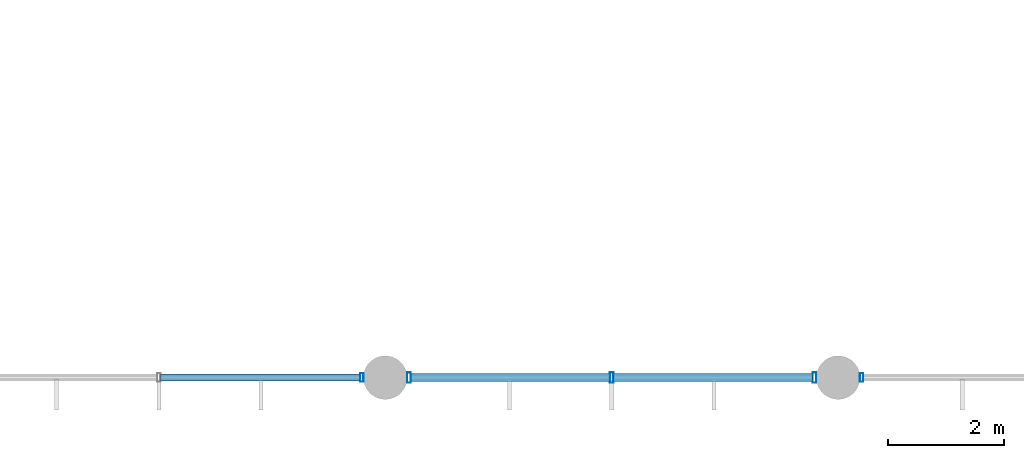
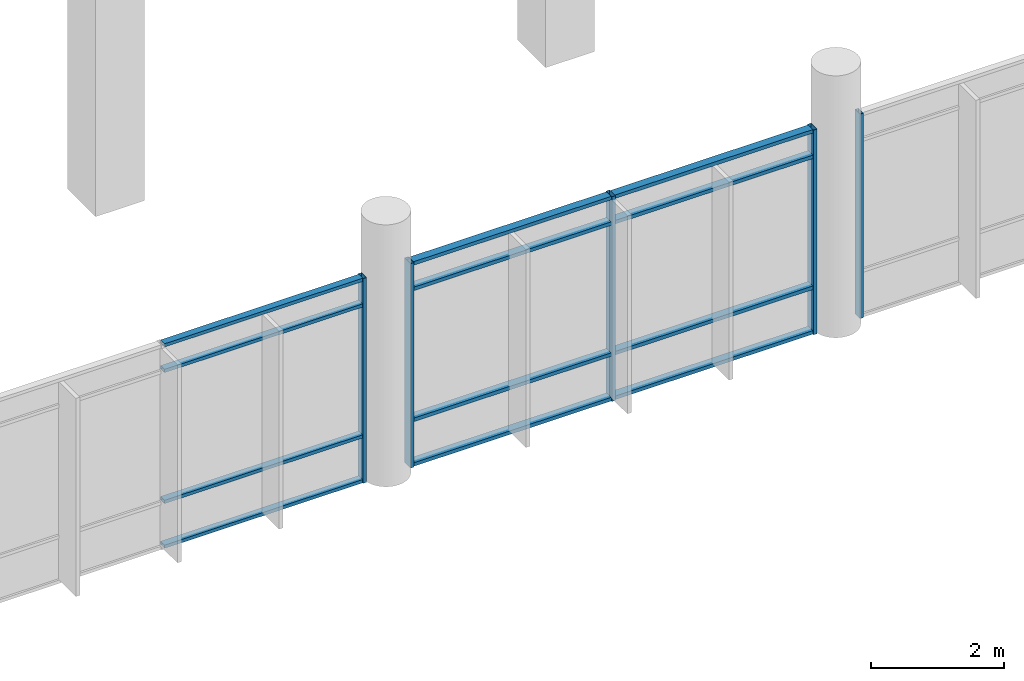
# One storey, part 12 of 79: 17 members, 3 elements without a shape of their own.
"""IFC4 building model written with IfcOpenShell, lengths in metres."""

from ifc_helpers import new_model, si_unit, direction, frame, origin, origin_2d, place, context, subcontext, project, spatial, hollow_rectangle, extrude, material, material_profile, profile_set, type_object, element, aggregate, save


model = new_model("IFC4")

# Units and contexts
model_context = context("Model", 3, precision=1e-05, world=origin(), true_north=direction((0.0, 1.0)))
body_context = subcontext(model_context, "Body", "Model", "MODEL_VIEW")
ifc_project = project(units=[si_unit("LENGTHUNIT", "METRE"), si_unit("AREAUNIT", "SQUARE_METRE"), si_unit("VOLUMEUNIT", "CUBIC_METRE"), si_unit("PLANEANGLEUNIT", "RADIAN"), si_unit("MASSUNIT", "GRAM", prefix="KILO"), si_unit("THERMODYNAMICTEMPERATUREUNIT", "KELVIN"), si_unit("POWERUNIT", "WATT")], contexts=[model_context])

# Site, building, storey
site_placement = place(None, origin())
site = spatial("IfcSite", under=ifc_project, at=site_placement, CompositionType="ELEMENT")
building_placement = place(site_placement, origin())
building = spatial("IfcBuilding", under=site, at=building_placement, Name="Srebrne Nadtorze General Hospital", CompositionType="ELEMENT")
storey_placement = place(building_placement, frame((0.0, 0.0, 4.800048828125)))
storey = spatial("IfcBuildingStorey", under=building, at=storey_placement, Name="L01", CompositionType="ELEMENT", Elevation=4.800048828125)

# Curtain wall, member
ifc_material_1 = material(Name="Anodised Aluminium", Category="aluminium")
curtain_wall_type = type_object("IfcCurtainWallType", Name="Unitised curtain wall 7050x3750", PredefinedType="NOTDEFINED", material=ifc_material_1)
curtain_wall_1_placement = place(storey_placement, origin())
curtain_wall_1 = element("IfcCurtainWall", 1, at=curtain_wall_1_placement, inside=storey, type_object=curtain_wall_type, Name="Curtain wall CW-032", PredefinedType="NOTDEFINED")
ifc_material_2 = material(Name="Anodised Aluminium", Category="aluminium")
ifc_material_profile_1 = material_profile(ifc_material_2, hollow_rectangle(XDim=0.06005859375, YDim=0.14990234375, WallThickness=0.00390625, at=origin_2d()), Name="AL-MUL-60x150")
ifc_profile_set_1 = profile_set([ifc_material_profile_1], Name="Anodised Aluminium")
member_type_1 = type_object("IfcMemberType", Name="Curtain mullion 60x150", PredefinedType="MULLION", material=ifc_profile_set_1)
member_1_placement = place(storey_placement, frame((77.594970703125, 0.0, 0.0), z_axis=(0.0, 0.0, 1.0), x_axis=(1.0, 0.0, 0.0)))
member_1 = element("IfcMember", 2, at=member_1_placement, type_object=member_type_1, Name="CW-032 mullion 3", PredefinedType="MULLION", context=body_context, shape_type="SweptSolid", body=[
    extrude(hollow_rectangle(XDim=0.06005859375, YDim=0.14990234375, WallThickness=0.00390625, at=origin_2d()), origin(), (0.0, 0.0, 1.0), 3.75),
])

curtain_wall_2_placement = place(storey_placement, origin())
curtain_wall_2 = element("IfcCurtainWall", 3, at=curtain_wall_2_placement, inside=storey, type_object=curtain_wall_type, Name="Curtain wall CW-034", PredefinedType="NOTDEFINED")
member_2_placement = place(storey_placement, frame((86.205078125, 0.0, 0.0), z_axis=(0.0, 0.0, 1.0), x_axis=(1.0, 0.0, 0.0)))
member_2 = element("IfcMember", 4, at=member_2_placement, type_object=member_type_1, Name="CW-034 mullion 1", PredefinedType="MULLION", context=body_context, shape_type="SweptSolid", body=[
    extrude(hollow_rectangle(XDim=0.06005859375, YDim=0.14990234375, WallThickness=0.00390625, at=origin_2d()), origin(), (0.0, 0.0, 1.0), 3.75),
])
aggregate(curtain_wall_2, [member_2])

# Curtain wall, members
curtain_wall_3_placement = place(storey_placement, origin())
curtain_wall_3 = element("IfcCurtainWall", 5, at=curtain_wall_3_placement, inside=storey, type_object=curtain_wall_type, Name="Curtain wall CW-033", PredefinedType="NOTDEFINED")
ifc_material_3 = material(Name="Anodised Aluminium", Category="aluminium")
ifc_material_profile_2 = material_profile(ifc_material_3, hollow_rectangle(XDim=0.06494140625, YDim=0.179931640625, WallThickness=0.00390625, at=origin_2d()), Name="AL-MUL-65x180")
ifc_profile_set_2 = profile_set([ifc_material_profile_2], Name="Anodised Aluminium")
member_type_2 = type_object("IfcMemberType", Name="Curtain mullion 65x180", PredefinedType="MULLION", material=ifc_profile_set_2)
member_3_placement = place(storey_placement, frame((78.407470703125, 0.0, 0.0), z_axis=(0.0, 0.0, 1.0), x_axis=(1.0, 0.0, 0.0)))
member_3 = element("IfcMember", 6, at=member_3_placement, type_object=member_type_2, Name="CW-033 mullion 1", PredefinedType="MULLION", context=body_context, shape_type="SweptSolid", body=[
    extrude(hollow_rectangle(XDim=0.06494140625, YDim=0.179931640625, WallThickness=0.00390625, at=origin_2d()), origin(), (0.0, 0.0, 1.0), 3.75),
])
member_4_placement = place(storey_placement, frame((81.89990234375, 0.0, 0.0), z_axis=(0.0, 0.0, 1.0), x_axis=(1.0, 0.0, 0.0)))
member_4 = element("IfcMember", 7, at=member_4_placement, type_object=member_type_2, Name="CW-033 mullion 2", PredefinedType="MULLION", context=body_context, shape_type="SweptSolid", body=[
    extrude(hollow_rectangle(XDim=0.06494140625, YDim=0.179931640625, WallThickness=0.00390625, at=origin_2d()), origin(), (0.0, 0.0, 1.0), 3.75),
])
member_5_placement = place(storey_placement, frame((85.392578125, 0.0, 0.0), z_axis=(0.0, 0.0, 1.0), x_axis=(1.0, 0.0, 0.0)))
member_5 = element("IfcMember", 8, at=member_5_placement, type_object=member_type_2, Name="CW-033 mullion 3", PredefinedType="MULLION", context=body_context, shape_type="SweptSolid", body=[
    extrude(hollow_rectangle(XDim=0.06494140625, YDim=0.179931640625, WallThickness=0.00390625, at=origin_2d()), origin(), (0.0, 0.0, 1.0), 3.75),
])

# Member
ifc_material_4 = material(Name="Anodised Aluminium", Category="aluminium")
ifc_material_profile_3 = material_profile(ifc_material_4, hollow_rectangle(XDim=0.06005859375, YDim=0.1201171875, WallThickness=0.00390625, at=origin_2d()), Name="AL-TRN-60x120")
ifc_profile_set_3 = profile_set([ifc_material_profile_3], Name="Anodised Aluminium")
member_type_3 = type_object("IfcMemberType", Name="Curtain transom 60x120", PredefinedType="USERDEFINED", material=ifc_profile_set_3)
member_6_placement = place(storey_placement, frame((74.1298828125, 0.0, 0.030029296875), z_axis=(1.0, 0.0, 0.0), x_axis=(0.0, 0.0, 1.0)))
member_6 = element("IfcMember", 9, at=member_6_placement, type_object=member_type_3, Name="CW-032 transom 2.1", ObjectType="TRANSOM", PredefinedType="USERDEFINED", context=body_context, shape_type="SweptSolid", body=[
    extrude(hollow_rectangle(XDim=0.06005859375, YDim=0.1201171875, WallThickness=0.00390625, at=origin_2d()), origin(), (0.0, 0.0, 1.0), 3.43505859375),
])

member_7_placement = place(storey_placement, frame((74.1298828125, 0.0, 0.849853515625), z_axis=(1.0, 0.0, 0.0), x_axis=(0.0, 0.0, 1.0)))
member_7 = element("IfcMember", 10, at=member_7_placement, type_object=member_type_3, Name="CW-032 transom 2.2", ObjectType="TRANSOM", PredefinedType="USERDEFINED", context=body_context, shape_type="SweptSolid", body=[
    extrude(hollow_rectangle(XDim=0.06005859375, YDim=0.1201171875, WallThickness=0.00390625, at=origin_2d()), origin(), (0.0, 0.0, 1.0), 3.43505859375),
])

member_8_placement = place(storey_placement, frame((74.1298828125, 0.0, 3.25), z_axis=(1.0, 0.0, 0.0), x_axis=(0.0, 0.0, 1.0)))
member_8 = element("IfcMember", 11, at=member_8_placement, type_object=member_type_3, Name="CW-032 transom 2.3", ObjectType="TRANSOM", PredefinedType="USERDEFINED", context=body_context, shape_type="SweptSolid", body=[
    extrude(hollow_rectangle(XDim=0.06005859375, YDim=0.1201171875, WallThickness=0.00390625, at=origin_2d()), origin(), (0.0, 0.0, 1.0), 3.43505859375),
])

member_9_placement = place(storey_placement, frame((74.1298828125, 0.0, 3.719970703125), z_axis=(1.0, 0.0, 0.0), x_axis=(0.0, 0.0, 1.0)))
member_9 = element("IfcMember", 12, at=member_9_placement, type_object=member_type_3, Name="CW-032 transom 2.4", ObjectType="TRANSOM", PredefinedType="USERDEFINED", context=body_context, shape_type="SweptSolid", body=[
    extrude(hollow_rectangle(XDim=0.06005859375, YDim=0.1201171875, WallThickness=0.00390625, at=origin_2d()), origin(), (0.0, 0.0, 1.0), 3.43505859375),
])

aggregate(curtain_wall_1, [member_1, member_6, member_7, member_8, member_9])

ifc_material_5 = material(Name="Anodised Aluminium", Category="aluminium")
ifc_material_profile_4 = material_profile(ifc_material_5, hollow_rectangle(XDim=0.06494140625, YDim=0.139892578125, WallThickness=0.00390625, at=origin_2d()), Name="AL-TRN-65x140")
ifc_profile_set_4 = profile_set([ifc_material_profile_4], Name="Anodised Aluminium")
member_type_4 = type_object("IfcMemberType", Name="Curtain transom 65x140", PredefinedType="USERDEFINED", material=ifc_profile_set_4)
member_10_placement = place(storey_placement, frame((78.43994140625, 0.0, 0.032470703125), z_axis=(1.0, 0.0, 0.0), x_axis=(0.0, 0.0, 1.0)))
member_10 = element("IfcMember", 13, at=member_10_placement, type_object=member_type_4, Name="CW-033 transom 1.1", ObjectType="TRANSOM", PredefinedType="USERDEFINED", context=body_context, shape_type="SweptSolid", body=[
    extrude(hollow_rectangle(XDim=0.06494140625, YDim=0.139892578125, WallThickness=0.00390625, at=origin_2d()), origin(), (0.0, 0.0, 1.0), 3.427490234375),
])

member_11_placement = place(storey_placement, frame((78.43994140625, 0.0, 0.849853515625), z_axis=(1.0, 0.0, 0.0), x_axis=(0.0, 0.0, 1.0)))
member_11 = element("IfcMember", 14, at=member_11_placement, type_object=member_type_4, Name="CW-033 transom 1.2", ObjectType="TRANSOM", PredefinedType="USERDEFINED", context=body_context, shape_type="SweptSolid", body=[
    extrude(hollow_rectangle(XDim=0.06494140625, YDim=0.139892578125, WallThickness=0.00390625, at=origin_2d()), origin(), (0.0, 0.0, 1.0), 3.427490234375),
])

member_12_placement = place(storey_placement, frame((78.43994140625, 0.0, 3.25), z_axis=(1.0, 0.0, 0.0), x_axis=(0.0, 0.0, 1.0)))
member_12 = element("IfcMember", 15, at=member_12_placement, type_object=member_type_4, Name="CW-033 transom 1.3", ObjectType="TRANSOM", PredefinedType="USERDEFINED", context=body_context, shape_type="SweptSolid", body=[
    extrude(hollow_rectangle(XDim=0.06494140625, YDim=0.139892578125, WallThickness=0.00390625, at=origin_2d()), origin(), (0.0, 0.0, 1.0), 3.427490234375),
])

member_13_placement = place(storey_placement, frame((78.43994140625, 0.0, 3.717529296875), z_axis=(1.0, 0.0, 0.0), x_axis=(0.0, 0.0, 1.0)))
member_13 = element("IfcMember", 16, at=member_13_placement, type_object=member_type_4, Name="CW-033 transom 1.4", ObjectType="TRANSOM", PredefinedType="USERDEFINED", context=body_context, shape_type="SweptSolid", body=[
    extrude(hollow_rectangle(XDim=0.06494140625, YDim=0.139892578125, WallThickness=0.00390625, at=origin_2d()), origin(), (0.0, 0.0, 1.0), 3.427490234375),
])

member_14_placement = place(storey_placement, frame((81.9326171875, 0.0, 0.032470703125), z_axis=(1.0, 0.0, 0.0), x_axis=(0.0, 0.0, 1.0)))
member_14 = element("IfcMember", 17, at=member_14_placement, type_object=member_type_4, Name="CW-033 transom 2.1", ObjectType="TRANSOM", PredefinedType="USERDEFINED", context=body_context, shape_type="SweptSolid", body=[
    extrude(hollow_rectangle(XDim=0.06494140625, YDim=0.139892578125, WallThickness=0.00390625, at=origin_2d()), origin(), (0.0, 0.0, 1.0), 3.427490234375),
])

member_15_placement = place(storey_placement, frame((81.9326171875, 0.0, 0.849853515625), z_axis=(1.0, 0.0, 0.0), x_axis=(0.0, 0.0, 1.0)))
member_15 = element("IfcMember", 18, at=member_15_placement, type_object=member_type_4, Name="CW-033 transom 2.2", ObjectType="TRANSOM", PredefinedType="USERDEFINED", context=body_context, shape_type="SweptSolid", body=[
    extrude(hollow_rectangle(XDim=0.06494140625, YDim=0.139892578125, WallThickness=0.00390625, at=origin_2d()), origin(), (0.0, 0.0, 1.0), 3.427490234375),
])

member_16_placement = place(storey_placement, frame((81.9326171875, 0.0, 3.25), z_axis=(1.0, 0.0, 0.0), x_axis=(0.0, 0.0, 1.0)))
member_16 = element("IfcMember", 19, at=member_16_placement, type_object=member_type_4, Name="CW-033 transom 2.3", ObjectType="TRANSOM", PredefinedType="USERDEFINED", context=body_context, shape_type="SweptSolid", body=[
    extrude(hollow_rectangle(XDim=0.06494140625, YDim=0.139892578125, WallThickness=0.00390625, at=origin_2d()), origin(), (0.0, 0.0, 1.0), 3.427490234375),
])

member_17_placement = place(storey_placement, frame((81.9326171875, 0.0, 3.717529296875), z_axis=(1.0, 0.0, 0.0), x_axis=(0.0, 0.0, 1.0)))
member_17 = element("IfcMember", 20, at=member_17_placement, type_object=member_type_4, Name="CW-033 transom 2.4", ObjectType="TRANSOM", PredefinedType="USERDEFINED", context=body_context, shape_type="SweptSolid", body=[
    extrude(hollow_rectangle(XDim=0.06494140625, YDim=0.139892578125, WallThickness=0.00390625, at=origin_2d()), origin(), (0.0, 0.0, 1.0), 3.427490234375),
])

aggregate(curtain_wall_3, [member_3, member_4, member_5, member_10, member_11, member_12, member_13, member_14, member_15, member_16, member_17])

save(model, "model.ifc")
